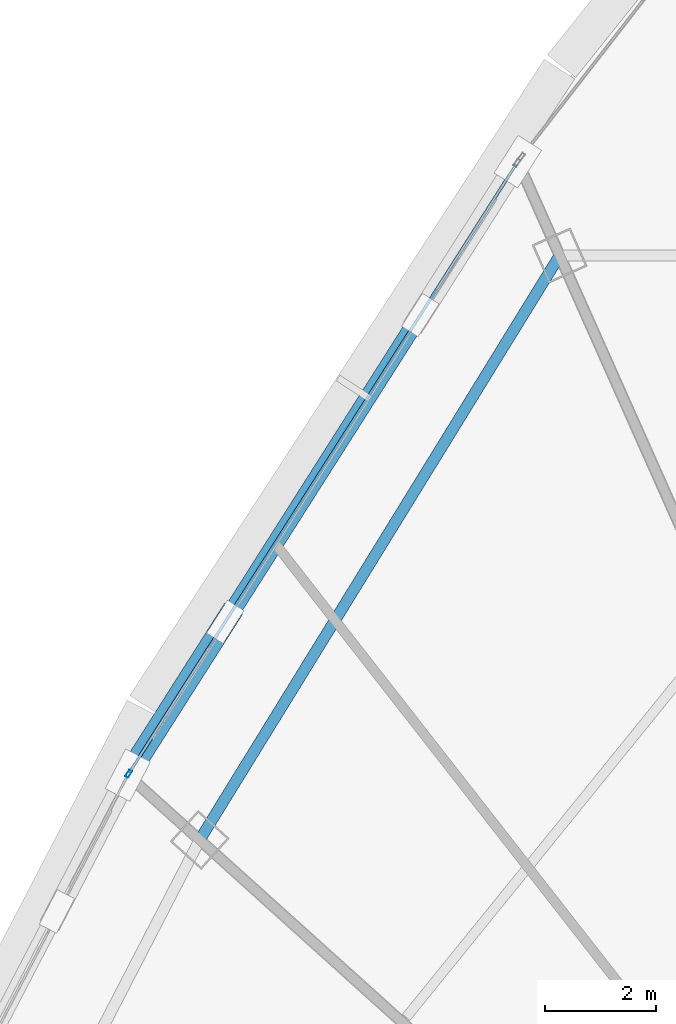
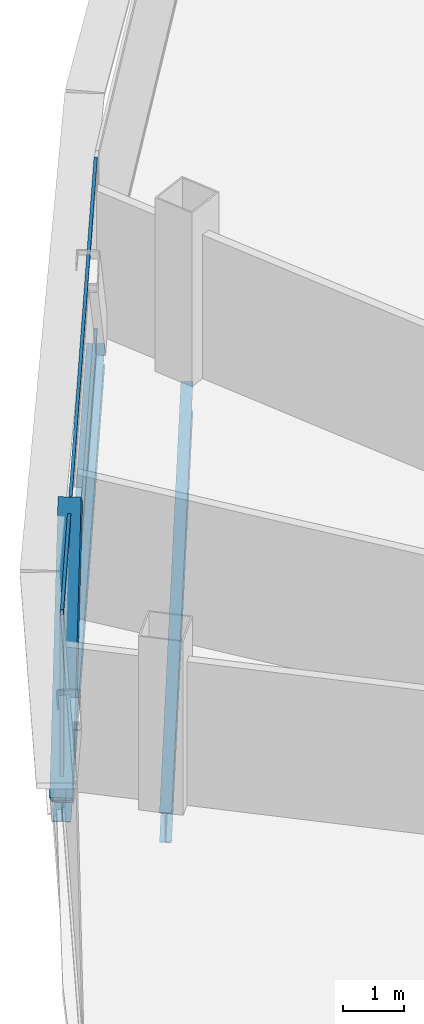
# One storey, part 19 of 35: 4 members, 2 beams, 1 element without a shape of its own.
"""IFC4 building model written with IfcOpenShell, lengths in metres."""

from ifc_helpers import new_model, si_unit, direction, frame, origin, origin_2d, place, context, subcontext, project, spatial, hollow_rectangle, i_section, extrude, source, transform, mapped, material, layer, layer_set, material_profile, profile_set, type_object, element, aggregate, save


model = new_model("IFC4")

# Units and contexts
model_context = context("Model", 3, precision=1e-05, world=origin(), true_north=direction((0.0, 1.0)))
body_context = subcontext(model_context, "Body", "Model", "MODEL_VIEW")
ifc_project = project(units=[si_unit("LENGTHUNIT", "METRE"), si_unit("AREAUNIT", "SQUARE_METRE"), si_unit("VOLUMEUNIT", "CUBIC_METRE"), si_unit("PLANEANGLEUNIT", "RADIAN"), si_unit("MASSUNIT", "GRAM", prefix="KILO"), si_unit("THERMODYNAMICTEMPERATUREUNIT", "KELVIN"), si_unit("POWERUNIT", "WATT")], contexts=[model_context])

# Site, building, storey
site_placement = place(None, origin())
site = spatial("IfcSite", under=ifc_project, at=site_placement, CompositionType="ELEMENT")
building_placement = place(site_placement, origin())
building = spatial("IfcBuilding", under=site, at=building_placement, Name="Yunzhuo Pagoda Commons", CompositionType="ELEMENT")
storey_placement = place(building_placement, frame((0.0, 0.0, 303.669921875)))
storey = spatial("IfcBuildingStorey", under=building, at=storey_placement, Name="L76", CompositionType="ELEMENT", Elevation=303.669921875)

# Beams
ifc_material_1 = material(Name="Structural steel Q355B", Category="steel")
ifc_material_profile_1 = material_profile(ifc_material_1, i_section(OverallWidth=0.199951171875, OverallDepth=0.60009765625, WebThickness=0.010986328125, FlangeThickness=0.01708984375, at=origin_2d()), Name="Structural steel Q355B")
ifc_profile_set_1 = profile_set([ifc_material_profile_1], Name="Structural steel Q355B")
beam_type_1 = type_object("IfcBeamType", Name="B-RG3 Beam HN 600x200x11x17", PredefinedType="BEAM", material=ifc_profile_set_1)
shared_shape_1 = source(origin(), body_context, "Body", "SweptSolid", [
    extrude(i_section(OverallWidth=0.199951171875, OverallDepth=0.60009765625, WebThickness=0.010986328125, FlangeThickness=0.01708984375, at=origin_2d()), origin(), (0.0, 0.0, 1.0), 12.315185546875),
])
beam_1_placement = place(storey_placement, frame((35.8857421875, 60.9091796875, -0.559814453125), z_axis=(-0.524469015689, -0.851429534126, 0.0), x_axis=(0.851429534126, -0.524469015689, 0.0)))
element("IfcBeam", 1, at=beam_1_placement, inside=storey, type_object=beam_type_1, Name="L76 column-ring beam 9", PredefinedType="BEAM", context=body_context, shape_type="MappedRepresentation", body=[
    mapped(shared_shape_1, transform((0.0, 0.0, 0.0), scale=1.0)),
])
ifc_material_profile_2 = material_profile(ifc_material_1, i_section(OverallWidth=0.300048828125, OverallDepth=0.43994140625, WebThickness=0.010986328125, FlangeThickness=0.01806640625, at=origin_2d()), Name="Structural steel Q355B")
ifc_profile_set_2 = profile_set([ifc_material_profile_2], Name="Structural steel Q355B")
beam_type_2 = type_object("IfcBeamType", Name="B-SP2 Beam HM 440x300x11x18", PredefinedType="BEAM", material=ifc_profile_set_2)
shared_shape_2 = source(origin(), body_context, "Body", "SweptSolid", [
    extrude(i_section(OverallWidth=0.300048828125, OverallDepth=0.43994140625, WebThickness=0.010986328125, FlangeThickness=0.01806640625, at=origin_2d()), origin(), (0.0, 0.0, 1.0), 13.04541015625),
])
beam_2_placement = place(storey_placement, frame((35.135498046875, 62.593994140625, -0.47998046875), z_axis=(-0.536495198362, -0.84390337251, 0.0), x_axis=(0.84390337251, -0.536495198362, 0.0)))
element("IfcBeam", 2, at=beam_2_placement, inside=storey, type_object=beam_type_2, Name="L76 facade edge spandrel beam F3.1", PredefinedType="BEAM", context=body_context, shape_type="MappedRepresentation", body=[
    mapped(shared_shape_2, transform((0.0, 0.0, 0.0), scale=1.0)),
])

# Member
ifc_material_profile_3 = material_profile(ifc_material_1, hollow_rectangle(XDim=0.3798828125, YDim=0.719970703125, WallThickness=0.02001953125, at=origin_2d()), Name="Structural steel Q355B")
ifc_profile_set_3 = profile_set([ifc_material_profile_3], Name="Structural steel Q355B")
member_type_1 = type_object("IfcMemberType", Name="M-DL3 Brace BOX 720x380x20", PredefinedType="BRACE", material=ifc_profile_set_3)
shared_shape_3 = source(origin(), body_context, "Body", "SweptSolid", [
    extrude(hollow_rectangle(XDim=0.3798828125, YDim=0.719970703125, WallThickness=0.02001953125, at=origin_2d()), origin(), (0.0, 0.0, 1.0), 4.95458984375),
])
member_1_placement = place(storey_placement, frame((28.13671875, 51.5849609375, -0.260009765625), z_axis=(0.353151166465, 0.555472736091, 0.752817569591), x_axis=(-0.843889512446, 0.53651699953, 0.0)))
element("IfcMember", 3, at=member_1_placement, inside=storey, type_object=member_type_1, Name="L76 facade diamond brace F3.1R", PredefinedType="BRACE", context=body_context, shape_type="MappedRepresentation", body=[
    mapped(shared_shape_3, transform((0.0, 0.0, 0.0), scale=1.0)),
])

# Curtain wall, members
ifc_material_2 = material(Name="Anodized aluminium 6063-T6", Category="aluminium")
ifc_layer = layer(ifc_material_2, 0.139892578125)
ifc_layer_set = layer_set([ifc_layer], Name="Anodized aluminium 6063-T6")
curtain_wall_type = type_object("IfcCurtainWallType", Name="CW-HI High-Zone Ribbon Curtain Wall", PredefinedType="NOTDEFINED", material=ifc_layer_set)
curtain_wall_placement = place(storey_placement, origin())
curtain_wall = element("IfcCurtainWall", 4, at=curtain_wall_placement, inside=storey, type_object=curtain_wall_type, Name="L76 curtain wall CW-L76-F3B2", PredefinedType="NOTDEFINED")
ifc_material_profile_4 = material_profile(ifc_material_2, hollow_rectangle(XDim=0.06005859375, YDim=0.139892578125, WallThickness=0.00341796875, at=origin_2d()), Name="Anodized aluminium 6063-T6")
ifc_profile_set_4 = profile_set([ifc_material_profile_4], Name="Anodized aluminium 6063-T6")
member_type_2 = type_object("IfcMemberType", Name="CW-HI-M Mullion RHS 140x60x3.5", PredefinedType="MULLION", material=ifc_profile_set_4)
shared_shape_4 = source(origin(), body_context, "Body", "SweptSolid", [
    extrude(hollow_rectangle(XDim=0.06005859375, YDim=0.139892578125, WallThickness=0.00341796875, at=origin_2d()), origin(), (0.0, 0.0, 1.0), 3.469970703125),
])
member_2_placement = place(storey_placement, frame((28.15283203125, 51.610107421875, 0.0), z_axis=(0.0, 0.0, 1.0), x_axis=(0.843909804597, -0.536485080599, 0.0)))
member_2 = element("IfcMember", 5, at=member_2_placement, type_object=member_type_2, Name="CW mullion 2", PredefinedType="MULLION", context=body_context, shape_type="MappedRepresentation", body=[
    mapped(shared_shape_4, transform((0.0, 0.0, 0.0), scale=1.0)),
])
ifc_material_profile_5 = material_profile(ifc_material_2, hollow_rectangle(XDim=0.054931640625, YDim=0.1201171875, WallThickness=0.00341796875, at=origin_2d()), Name="Anodized aluminium 6063-T6")
ifc_profile_set_5 = profile_set([ifc_material_profile_5], Name="Anodized aluminium 6063-T6")
member_type_3 = type_object("IfcMemberType", Name="CW-HI-T Transom RHS 120x55x3.5", PredefinedType="USERDEFINED", material=ifc_profile_set_5)
shared_shape_5 = source(origin(), body_context, "Body", "SweptSolid", [
    extrude(hollow_rectangle(XDim=0.054931640625, YDim=0.1201171875, WallThickness=0.00341796875, at=origin_2d()), origin(), (0.0, 0.0, 1.0), 12.925537109375),
])
member_3_placement = place(storey_placement, frame((35.103515625, 62.54345703125, 0.027587890625), z_axis=(-0.536497787374, -0.843901726591, 0.0), x_axis=(0.843901726591, -0.536497787374, 0.0)))
member_3 = element("IfcMember", 6, at=member_3_placement, type_object=member_type_3, Name="CW transom 1.1", ObjectType="TRANSOM", PredefinedType="USERDEFINED", context=body_context, shape_type="MappedRepresentation", body=[
    mapped(shared_shape_5, transform((0.0, 0.0, 0.0), scale=1.0)),
])
member_4_placement = place(storey_placement, frame((35.103515625, 62.54345703125, 3.442626953125), z_axis=(-0.536497787374, -0.843901726591, 0.0), x_axis=(0.843901726591, -0.536497787374, 0.0)))
member_4 = element("IfcMember", 7, at=member_4_placement, type_object=member_type_3, Name="CW transom 1.2", ObjectType="TRANSOM", PredefinedType="USERDEFINED", context=body_context, shape_type="MappedRepresentation", body=[
    mapped(shared_shape_5, transform((0.0, 0.0, 0.0), scale=1.0)),
])
aggregate(curtain_wall, [member_2, member_3, member_4])

save(model, "model.ifc")
